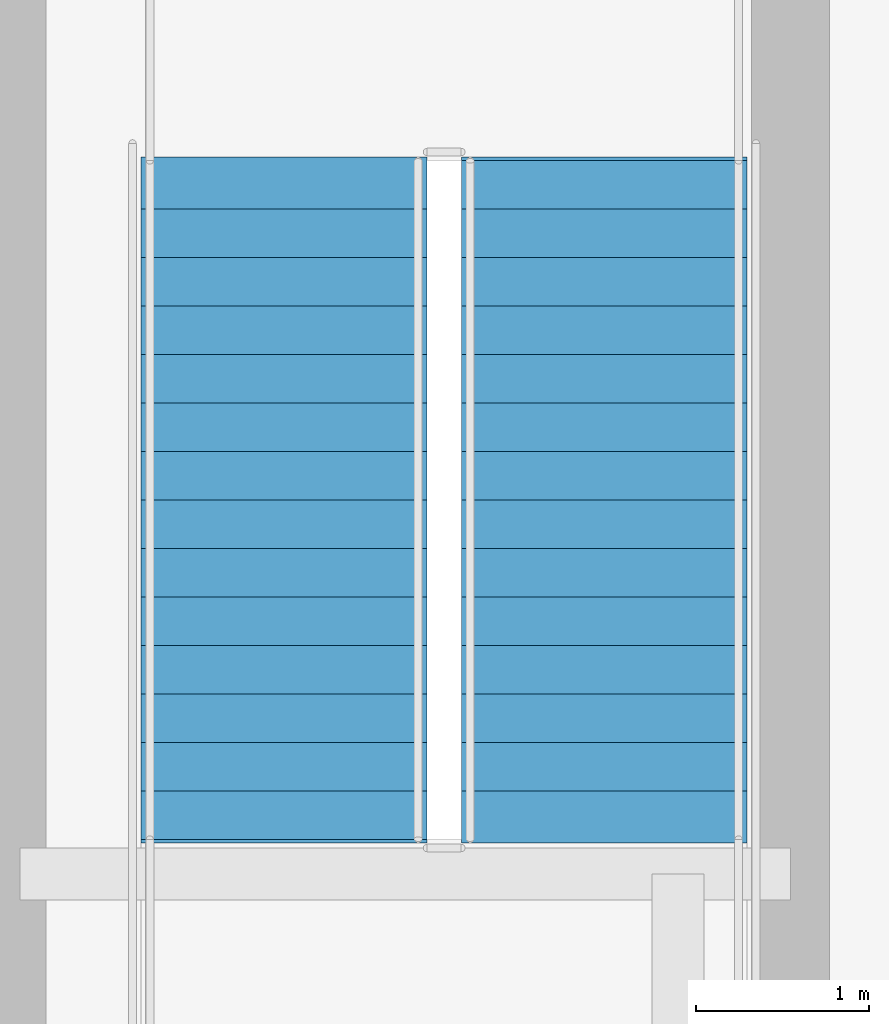
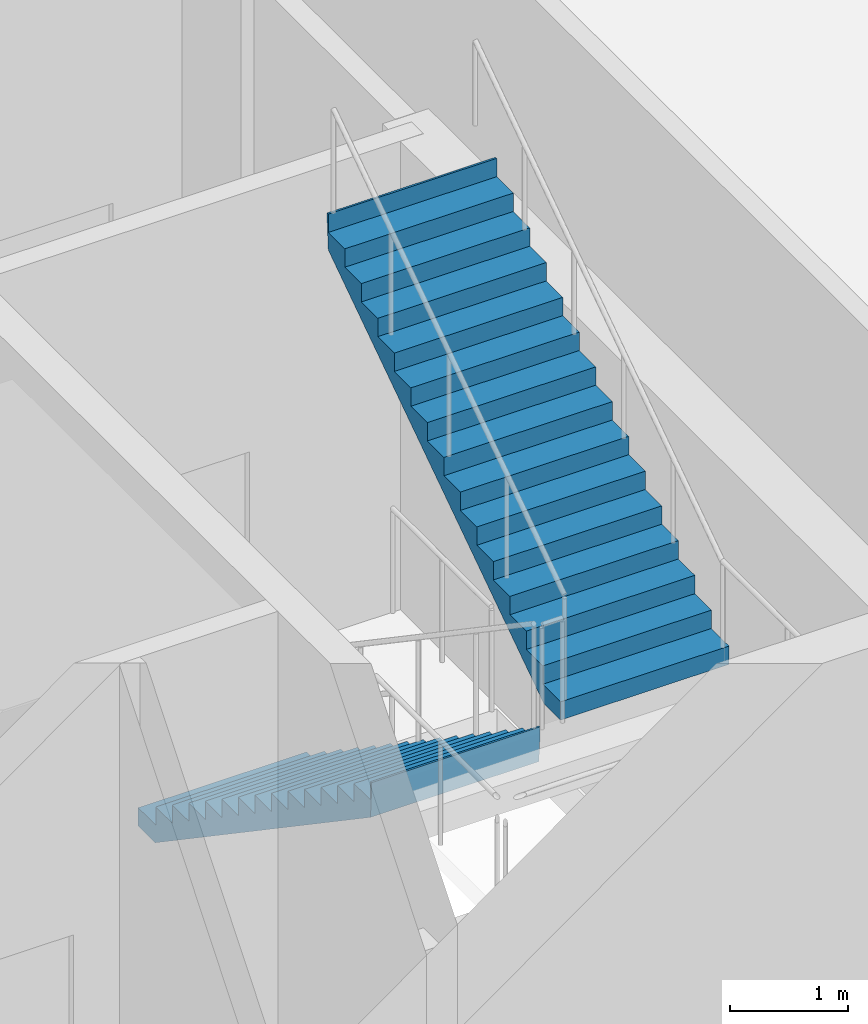
# One storey, part 6 of 12: 2 stair flights, 1 element without a shape of its own.
"""IFC4 building model written with IfcOpenShell, lengths in metres."""

from ifc_helpers import new_model, si_unit, direction, frame, origin, place, context, subcontext, project, spatial, polygons, material, type_object, element, aggregate, save


model = new_model("IFC4")

# Units and contexts
model_context = context("Model", 3, precision=1e-05, world=origin(), true_north=direction((0.0, 1.0)))
body_context = subcontext(model_context, "Body", "Model", "MODEL_VIEW")
ifc_project = project(units=[si_unit("LENGTHUNIT", "METRE"), si_unit("AREAUNIT", "SQUARE_METRE"), si_unit("VOLUMEUNIT", "CUBIC_METRE"), si_unit("PLANEANGLEUNIT", "RADIAN"), si_unit("MASSUNIT", "GRAM", prefix="KILO")], contexts=[model_context])

# Site, building, storey
site_placement = place(None, origin())
site = spatial("IfcSite", under=ifc_project, at=site_placement, CompositionType="ELEMENT")
building_placement = place(site_placement, origin())
building = spatial("IfcBuilding", under=site, at=building_placement, Name="Serunith Strait Residences", CompositionType="ELEMENT")
storey_placement = place(building_placement, frame((0.0, 0.0, 15.300048828125)))
storey = spatial("IfcBuildingStorey", under=building, at=storey_placement, Name="L03", CompositionType="ELEMENT", Elevation=15.300048828125)

# Stair, stair flights
ifc_material = material(Name="Concrete C50/60", Category="concrete")
stair_type = type_object("IfcStairType", Name="STR-CORE-2", PredefinedType="HALF_TURN_STAIR", material=ifc_material)
stair_placement = place(storey_placement, origin())
stair = element("IfcStair", 1, at=stair_placement, inside=storey, type_object=stair_type, Name="L03 Protected Escape Stair ST-2", PredefinedType="HALF_TURN_STAIR")
stair_flight_type = type_object("IfcStairFlightType", Name="FLT-CORE-2", PredefinedType="STRAIGHT", material=ifc_material)
stair_flight_1_placement = place(storey_placement, frame((38.47509765625, 23.3701171875, 0.0), z_axis=(0.0, 0.0, 1.0), x_axis=(0.0, -1.0, 0.0)))
stair_flight_1 = element("IfcStairFlight", 2, at=stair_flight_1_placement, type_object=stair_flight_type, Name="ST-2 flight 1", NumberOfRisers=15, NumberOfTreads=14, PredefinedType="STRAIGHT", RiserHeight=0.19, TreadLength=0.28, context=body_context, shape_type="Tessellation", body=[
    polygons([(-0.02001953125, -0.824951171875, 0.0), (-0.02001953125, -0.824951171875, 0.18994140625), (0.280029296875, -0.824951171875, 0.18994140625), (0.280029296875, -0.824951171875, 0.3798828125), (0.56005859375, -0.824951171875, 0.3798828125), (0.56005859375, -0.824951171875, 0.570068359375), (0.840087890625, -0.824951171875, 0.570068359375), (0.840087890625, -0.824951171875, 0.760009765625), (1.1201171875, -0.824951171875, 0.760009765625), (1.1201171875, -0.824951171875, 0.949951171875), (1.39990234375, -0.824951171875, 0.949951171875), (1.39990234375, -0.824951171875, 1.139892578125), (1.679931640625, -0.824951171875, 1.139892578125), (1.679931640625, -0.824951171875, 1.330078125), (1.9599609375, -0.824951171875, 1.330078125), (1.9599609375, -0.824951171875, 1.52001953125), (2.239990234375, -0.824951171875, 1.52001953125), (2.239990234375, -0.824951171875, 1.7099609375), (2.52001953125, -0.824951171875, 1.7099609375), (2.52001953125, -0.824951171875, 1.89990234375), (2.800048828125, -0.824951171875, 1.89990234375), (2.800048828125, -0.824951171875, 2.090087890625), (3.080078125, -0.824951171875, 2.090087890625), (3.080078125, -0.824951171875, 2.280029296875), (3.360107421875, -0.824951171875, 2.280029296875), (3.360107421875, -0.824951171875, 2.469970703125), (3.639892578125, -0.824951171875, 2.469970703125), (3.639892578125, -0.824951171875, 2.659912109375), (3.919921875, -0.824951171875, 2.659912109375), (3.919921875, -0.824951171875, 2.85009765625), (3.93994140625, -0.824951171875, 2.85009765625), (3.93994140625, -0.824951171875, 2.7900390625), (3.919921875, -0.824951171875, 2.478759765625), (0.266845703125, -0.824951171875, 0.0), (-0.02001953125, -0.41259765625, 0.0), (-0.02001953125, -0.41259765625, 0.18994140625), (0.280029296875, -0.41259765625, 0.18994140625), (0.280029296875, -0.41259765625, 0.3798828125), (0.56005859375, -0.41259765625, 0.3798828125), (0.56005859375, -0.41259765625, 0.570068359375), (0.840087890625, -0.41259765625, 0.570068359375), (0.840087890625, -0.41259765625, 0.760009765625), (1.1201171875, -0.41259765625, 0.760009765625), (1.1201171875, -0.41259765625, 0.949951171875), (1.39990234375, -0.41259765625, 0.949951171875), (1.39990234375, -0.41259765625, 1.139892578125), (1.679931640625, -0.41259765625, 1.139892578125), (1.679931640625, -0.41259765625, 1.330078125), (1.9599609375, -0.41259765625, 1.330078125), (1.9599609375, -0.41259765625, 1.52001953125), (2.239990234375, -0.41259765625, 1.52001953125), (2.239990234375, -0.41259765625, 1.7099609375), (2.52001953125, -0.41259765625, 1.7099609375), (2.52001953125, -0.41259765625, 1.89990234375), (2.800048828125, -0.41259765625, 1.89990234375), (2.800048828125, -0.41259765625, 2.090087890625), (3.080078125, -0.41259765625, 2.090087890625), (3.080078125, -0.41259765625, 2.280029296875), (3.360107421875, -0.41259765625, 2.280029296875), (3.360107421875, -0.41259765625, 2.469970703125), (3.639892578125, -0.41259765625, 2.469970703125), (3.639892578125, -0.41259765625, 2.659912109375), (3.919921875, -0.41259765625, 2.659912109375), (3.919921875, -0.41259765625, 2.85009765625), (3.93994140625, -0.41259765625, 2.85009765625), (3.93994140625, -0.41259765625, 2.7900390625), (3.919921875, -0.41259765625, 2.478759765625), (0.266845703125, -0.41259765625, 0.0), (-0.02001953125, 0.0, 0.0), (-0.02001953125, 0.0, 0.18994140625), (0.280029296875, 0.0, 0.18994140625), (0.280029296875, 0.0, 0.3798828125), (0.56005859375, 0.0, 0.3798828125), (0.56005859375, 0.0, 0.570068359375), (0.840087890625, 0.0, 0.570068359375), (0.840087890625, 0.0, 0.760009765625), (1.1201171875, 0.0, 0.760009765625), (1.1201171875, 0.0, 0.949951171875), (1.39990234375, 0.0, 0.949951171875), (1.39990234375, 0.0, 1.139892578125), (1.679931640625, 0.0, 1.139892578125), (1.679931640625, 0.0, 1.330078125), (1.9599609375, 0.0, 1.330078125), (1.9599609375, 0.0, 1.52001953125), (2.239990234375, 0.0, 1.52001953125), (2.239990234375, 0.0, 1.7099609375), (2.52001953125, 0.0, 1.7099609375), (2.52001953125, 0.0, 1.89990234375), (2.800048828125, 0.0, 1.89990234375), (2.800048828125, 0.0, 2.090087890625), (3.080078125, 0.0, 2.090087890625), (3.080078125, 0.0, 2.280029296875), (3.360107421875, 0.0, 2.280029296875), (3.360107421875, 0.0, 2.469970703125), (3.639892578125, 0.0, 2.469970703125), (3.639892578125, 0.0, 2.659912109375), (3.919921875, 0.0, 2.659912109375), (3.919921875, 0.0, 2.85009765625), (3.93994140625, 0.0, 2.85009765625), (3.93994140625, 0.0, 2.7900390625), (3.919921875, 0.0, 2.478759765625), (0.266845703125, 0.0, 0.0), (-0.02001953125, 0.41259765625, 0.0), (-0.02001953125, 0.41259765625, 0.18994140625), (0.280029296875, 0.41259765625, 0.18994140625), (0.280029296875, 0.41259765625, 0.3798828125), (0.56005859375, 0.41259765625, 0.3798828125), (0.56005859375, 0.41259765625, 0.570068359375), (0.840087890625, 0.41259765625, 0.570068359375), (0.840087890625, 0.41259765625, 0.760009765625), (1.1201171875, 0.41259765625, 0.760009765625), (1.1201171875, 0.41259765625, 0.949951171875), (1.39990234375, 0.41259765625, 0.949951171875), (1.39990234375, 0.41259765625, 1.139892578125), (1.679931640625, 0.41259765625, 1.139892578125), (1.679931640625, 0.41259765625, 1.330078125), (1.9599609375, 0.41259765625, 1.330078125), (1.9599609375, 0.41259765625, 1.52001953125), (2.239990234375, 0.41259765625, 1.52001953125), (2.239990234375, 0.41259765625, 1.7099609375), (2.52001953125, 0.41259765625, 1.7099609375), (2.52001953125, 0.41259765625, 1.89990234375), (2.800048828125, 0.41259765625, 1.89990234375), (2.800048828125, 0.41259765625, 2.090087890625), (3.080078125, 0.41259765625, 2.090087890625), (3.080078125, 0.41259765625, 2.280029296875), (3.360107421875, 0.41259765625, 2.280029296875), (3.360107421875, 0.41259765625, 2.469970703125), (3.639892578125, 0.41259765625, 2.469970703125), (3.639892578125, 0.41259765625, 2.659912109375), (3.919921875, 0.41259765625, 2.659912109375), (3.919921875, 0.41259765625, 2.85009765625), (3.93994140625, 0.41259765625, 2.85009765625), (3.93994140625, 0.41259765625, 2.7900390625), (3.919921875, 0.41259765625, 2.478759765625), (0.266845703125, 0.41259765625, 0.0), (-0.02001953125, 0.824951171875, 0.0), (-0.02001953125, 0.824951171875, 0.18994140625), (0.280029296875, 0.824951171875, 0.18994140625), (0.280029296875, 0.824951171875, 0.3798828125), (0.56005859375, 0.824951171875, 0.3798828125), (0.56005859375, 0.824951171875, 0.570068359375), (0.840087890625, 0.824951171875, 0.570068359375), (0.840087890625, 0.824951171875, 0.760009765625), (1.1201171875, 0.824951171875, 0.760009765625), (1.1201171875, 0.824951171875, 0.949951171875), (1.39990234375, 0.824951171875, 0.949951171875), (1.39990234375, 0.824951171875, 1.139892578125), (1.679931640625, 0.824951171875, 1.139892578125), (1.679931640625, 0.824951171875, 1.330078125), (1.9599609375, 0.824951171875, 1.330078125), (1.9599609375, 0.824951171875, 1.52001953125), (2.239990234375, 0.824951171875, 1.52001953125), (2.239990234375, 0.824951171875, 1.7099609375), (2.52001953125, 0.824951171875, 1.7099609375), (2.52001953125, 0.824951171875, 1.89990234375), (2.800048828125, 0.824951171875, 1.89990234375), (2.800048828125, 0.824951171875, 2.090087890625), (3.080078125, 0.824951171875, 2.090087890625), (3.080078125, 0.824951171875, 2.280029296875), (3.360107421875, 0.824951171875, 2.280029296875), (3.360107421875, 0.824951171875, 2.469970703125), (3.639892578125, 0.824951171875, 2.469970703125), (3.639892578125, 0.824951171875, 2.659912109375), (3.919921875, 0.824951171875, 2.659912109375), (3.919921875, 0.824951171875, 2.85009765625), (3.93994140625, 0.824951171875, 2.85009765625), (3.93994140625, 0.824951171875, 2.7900390625), (3.919921875, 0.824951171875, 2.478759765625), (0.266845703125, 0.824951171875, 0.0)], [[[1, 2, 36, 35]], [[2, 3, 37, 36]], [[3, 4, 38, 37]], [[4, 5, 39, 38]], [[5, 6, 40, 39]], [[6, 7, 41, 40]], [[7, 8, 42, 41]], [[8, 9, 43, 42]], [[9, 10, 44, 43]], [[10, 11, 45, 44]], [[11, 12, 46, 45]], [[12, 13, 47, 46]], [[13, 14, 48, 47]], [[14, 15, 49, 48]], [[15, 16, 50, 49]], [[16, 17, 51, 50]], [[17, 18, 52, 51]], [[18, 19, 53, 52]], [[19, 20, 54, 53]], [[20, 21, 55, 54]], [[21, 22, 56, 55]], [[22, 23, 57, 56]], [[23, 24, 58, 57]], [[24, 25, 59, 58]], [[25, 26, 60, 59]], [[26, 27, 61, 60]], [[27, 28, 62, 61]], [[28, 29, 63, 62]], [[29, 30, 64, 63]], [[30, 31, 65, 64]], [[31, 32, 66, 65]], [[32, 33, 67, 66]], [[33, 34, 68, 67]], [[34, 1, 35, 68]], [[35, 36, 70, 69]], [[36, 37, 71, 70]], [[37, 38, 72, 71]], [[38, 39, 73, 72]], [[39, 40, 74, 73]], [[40, 41, 75, 74]], [[41, 42, 76, 75]], [[42, 43, 77, 76]], [[43, 44, 78, 77]], [[44, 45, 79, 78]], [[45, 46, 80, 79]], [[46, 47, 81, 80]], [[47, 48, 82, 81]], [[48, 49, 83, 82]], [[49, 50, 84, 83]], [[50, 51, 85, 84]], [[51, 52, 86, 85]], [[52, 53, 87, 86]], [[53, 54, 88, 87]], [[54, 55, 89, 88]], [[55, 56, 90, 89]], [[56, 57, 91, 90]], [[57, 58, 92, 91]], [[58, 59, 93, 92]], [[59, 60, 94, 93]], [[60, 61, 95, 94]], [[61, 62, 96, 95]], [[62, 63, 97, 96]], [[63, 64, 98, 97]], [[64, 65, 99, 98]], [[65, 66, 100, 99]], [[66, 67, 101, 100]], [[67, 68, 102, 101]], [[68, 35, 69, 102]], [[69, 70, 104, 103]], [[70, 71, 105, 104]], [[71, 72, 106, 105]], [[72, 73, 107, 106]], [[73, 74, 108, 107]], [[74, 75, 109, 108]], [[75, 76, 110, 109]], [[76, 77, 111, 110]], [[77, 78, 112, 111]], [[78, 79, 113, 112]], [[79, 80, 114, 113]], [[80, 81, 115, 114]], [[81, 82, 116, 115]], [[82, 83, 117, 116]], [[83, 84, 118, 117]], [[84, 85, 119, 118]], [[85, 86, 120, 119]], [[86, 87, 121, 120]], [[87, 88, 122, 121]], [[88, 89, 123, 122]], [[89, 90, 124, 123]], [[90, 91, 125, 124]], [[91, 92, 126, 125]], [[92, 93, 127, 126]], [[93, 94, 128, 127]], [[94, 95, 129, 128]], [[95, 96, 130, 129]], [[96, 97, 131, 130]], [[97, 98, 132, 131]], [[98, 99, 133, 132]], [[99, 100, 134, 133]], [[100, 101, 135, 134]], [[101, 102, 136, 135]], [[102, 69, 103, 136]], [[103, 104, 138, 137]], [[104, 105, 139, 138]], [[105, 106, 140, 139]], [[106, 107, 141, 140]], [[107, 108, 142, 141]], [[108, 109, 143, 142]], [[109, 110, 144, 143]], [[110, 111, 145, 144]], [[111, 112, 146, 145]], [[112, 113, 147, 146]], [[113, 114, 148, 147]], [[114, 115, 149, 148]], [[115, 116, 150, 149]], [[116, 117, 151, 150]], [[117, 118, 152, 151]], [[118, 119, 153, 152]], [[119, 120, 154, 153]], [[120, 121, 155, 154]], [[121, 122, 156, 155]], [[122, 123, 157, 156]], [[123, 124, 158, 157]], [[124, 125, 159, 158]], [[125, 126, 160, 159]], [[126, 127, 161, 160]], [[127, 128, 162, 161]], [[128, 129, 163, 162]], [[129, 130, 164, 163]], [[130, 131, 165, 164]], [[131, 132, 166, 165]], [[132, 133, 167, 166]], [[133, 134, 168, 167]], [[134, 135, 169, 168]], [[135, 136, 170, 169]], [[136, 103, 137, 170]], [[34, 33, 32, 31, 30, 29, 28, 27, 26, 25, 24, 23, 22, 21, 20, 19, 18, 17, 16, 15, 14, 13, 12, 11, 10, 9, 8, 7, 6, 5, 4, 3, 2, 1]], [[137, 138, 139, 140, 141, 142, 143, 144, 145, 146, 147, 148, 149, 150, 151, 152, 153, 154, 155, 156, 157, 158, 159, 160, 161, 162, 163, 164, 165, 166, 167, 168, 169, 170]]], closed=True),
])
stair_flight_2_placement = place(storey_placement, frame((40.324951171875, 19.449951171875, 2.849853515625), z_axis=(0.0, 0.0, 1.0), x_axis=(0.0, 1.0, 0.0)))
stair_flight_2 = element("IfcStairFlight", 3, at=stair_flight_2_placement, type_object=stair_flight_type, Name="ST-2 flight 2", NumberOfRisers=15, NumberOfTreads=14, PredefinedType="STRAIGHT", RiserHeight=0.19, TreadLength=0.28, context=body_context, shape_type="Tessellation", body=[
    polygons([(-0.02001953125, -0.824951171875, 0.0), (-0.02001953125, -0.824951171875, 0.18994140625), (0.280029296875, -0.824951171875, 0.18994140625), (0.280029296875, -0.824951171875, 0.3798828125), (0.56005859375, -0.824951171875, 0.3798828125), (0.56005859375, -0.824951171875, 0.570068359375), (0.840087890625, -0.824951171875, 0.570068359375), (0.840087890625, -0.824951171875, 0.760009765625), (1.1201171875, -0.824951171875, 0.760009765625), (1.1201171875, -0.824951171875, 0.949951171875), (1.39990234375, -0.824951171875, 0.949951171875), (1.39990234375, -0.824951171875, 1.139892578125), (1.679931640625, -0.824951171875, 1.139892578125), (1.679931640625, -0.824951171875, 1.330078125), (1.9599609375, -0.824951171875, 1.330078125), (1.9599609375, -0.824951171875, 1.52001953125), (2.239990234375, -0.824951171875, 1.52001953125), (2.239990234375, -0.824951171875, 1.7099609375), (2.52001953125, -0.824951171875, 1.7099609375), (2.52001953125, -0.824951171875, 1.89990234375), (2.800048828125, -0.824951171875, 1.89990234375), (2.800048828125, -0.824951171875, 2.090087890625), (3.080078125, -0.824951171875, 2.090087890625), (3.080078125, -0.824951171875, 2.280029296875), (3.360107421875, -0.824951171875, 2.280029296875), (3.360107421875, -0.824951171875, 2.469970703125), (3.639892578125, -0.824951171875, 2.469970703125), (3.639892578125, -0.824951171875, 2.659912109375), (3.919921875, -0.824951171875, 2.659912109375), (3.919921875, -0.824951171875, 2.85009765625), (3.93994140625, -0.824951171875, 2.85009765625), (3.93994140625, -0.824951171875, 2.7900390625), (3.919921875, -0.824951171875, 2.478759765625), (0.266845703125, -0.824951171875, 0.0), (-0.02001953125, -0.41259765625, 0.0), (-0.02001953125, -0.41259765625, 0.18994140625), (0.280029296875, -0.41259765625, 0.18994140625), (0.280029296875, -0.41259765625, 0.3798828125), (0.56005859375, -0.41259765625, 0.3798828125), (0.56005859375, -0.41259765625, 0.570068359375), (0.840087890625, -0.41259765625, 0.570068359375), (0.840087890625, -0.41259765625, 0.760009765625), (1.1201171875, -0.41259765625, 0.760009765625), (1.1201171875, -0.41259765625, 0.949951171875), (1.39990234375, -0.41259765625, 0.949951171875), (1.39990234375, -0.41259765625, 1.139892578125), (1.679931640625, -0.41259765625, 1.139892578125), (1.679931640625, -0.41259765625, 1.330078125), (1.9599609375, -0.41259765625, 1.330078125), (1.9599609375, -0.41259765625, 1.52001953125), (2.239990234375, -0.41259765625, 1.52001953125), (2.239990234375, -0.41259765625, 1.7099609375), (2.52001953125, -0.41259765625, 1.7099609375), (2.52001953125, -0.41259765625, 1.89990234375), (2.800048828125, -0.41259765625, 1.89990234375), (2.800048828125, -0.41259765625, 2.090087890625), (3.080078125, -0.41259765625, 2.090087890625), (3.080078125, -0.41259765625, 2.280029296875), (3.360107421875, -0.41259765625, 2.280029296875), (3.360107421875, -0.41259765625, 2.469970703125), (3.639892578125, -0.41259765625, 2.469970703125), (3.639892578125, -0.41259765625, 2.659912109375), (3.919921875, -0.41259765625, 2.659912109375), (3.919921875, -0.41259765625, 2.85009765625), (3.93994140625, -0.41259765625, 2.85009765625), (3.93994140625, -0.41259765625, 2.7900390625), (3.919921875, -0.41259765625, 2.478759765625), (0.266845703125, -0.41259765625, 0.0), (-0.02001953125, 0.0, 0.0), (-0.02001953125, 0.0, 0.18994140625), (0.280029296875, 0.0, 0.18994140625), (0.280029296875, 0.0, 0.3798828125), (0.56005859375, 0.0, 0.3798828125), (0.56005859375, 0.0, 0.570068359375), (0.840087890625, 0.0, 0.570068359375), (0.840087890625, 0.0, 0.760009765625), (1.1201171875, 0.0, 0.760009765625), (1.1201171875, 0.0, 0.949951171875), (1.39990234375, 0.0, 0.949951171875), (1.39990234375, 0.0, 1.139892578125), (1.679931640625, 0.0, 1.139892578125), (1.679931640625, 0.0, 1.330078125), (1.9599609375, 0.0, 1.330078125), (1.9599609375, 0.0, 1.52001953125), (2.239990234375, 0.0, 1.52001953125), (2.239990234375, 0.0, 1.7099609375), (2.52001953125, 0.0, 1.7099609375), (2.52001953125, 0.0, 1.89990234375), (2.800048828125, 0.0, 1.89990234375), (2.800048828125, 0.0, 2.090087890625), (3.080078125, 0.0, 2.090087890625), (3.080078125, 0.0, 2.280029296875), (3.360107421875, 0.0, 2.280029296875), (3.360107421875, 0.0, 2.469970703125), (3.639892578125, 0.0, 2.469970703125), (3.639892578125, 0.0, 2.659912109375), (3.919921875, 0.0, 2.659912109375), (3.919921875, 0.0, 2.85009765625), (3.93994140625, 0.0, 2.85009765625), (3.93994140625, 0.0, 2.7900390625), (3.919921875, 0.0, 2.478759765625), (0.266845703125, 0.0, 0.0), (-0.02001953125, 0.41259765625, 0.0), (-0.02001953125, 0.41259765625, 0.18994140625), (0.280029296875, 0.41259765625, 0.18994140625), (0.280029296875, 0.41259765625, 0.3798828125), (0.56005859375, 0.41259765625, 0.3798828125), (0.56005859375, 0.41259765625, 0.570068359375), (0.840087890625, 0.41259765625, 0.570068359375), (0.840087890625, 0.41259765625, 0.760009765625), (1.1201171875, 0.41259765625, 0.760009765625), (1.1201171875, 0.41259765625, 0.949951171875), (1.39990234375, 0.41259765625, 0.949951171875), (1.39990234375, 0.41259765625, 1.139892578125), (1.679931640625, 0.41259765625, 1.139892578125), (1.679931640625, 0.41259765625, 1.330078125), (1.9599609375, 0.41259765625, 1.330078125), (1.9599609375, 0.41259765625, 1.52001953125), (2.239990234375, 0.41259765625, 1.52001953125), (2.239990234375, 0.41259765625, 1.7099609375), (2.52001953125, 0.41259765625, 1.7099609375), (2.52001953125, 0.41259765625, 1.89990234375), (2.800048828125, 0.41259765625, 1.89990234375), (2.800048828125, 0.41259765625, 2.090087890625), (3.080078125, 0.41259765625, 2.090087890625), (3.080078125, 0.41259765625, 2.280029296875), (3.360107421875, 0.41259765625, 2.280029296875), (3.360107421875, 0.41259765625, 2.469970703125), (3.639892578125, 0.41259765625, 2.469970703125), (3.639892578125, 0.41259765625, 2.659912109375), (3.919921875, 0.41259765625, 2.659912109375), (3.919921875, 0.41259765625, 2.85009765625), (3.93994140625, 0.41259765625, 2.85009765625), (3.93994140625, 0.41259765625, 2.7900390625), (3.919921875, 0.41259765625, 2.478759765625), (0.266845703125, 0.41259765625, 0.0), (-0.02001953125, 0.824951171875, 0.0), (-0.02001953125, 0.824951171875, 0.18994140625), (0.280029296875, 0.824951171875, 0.18994140625), (0.280029296875, 0.824951171875, 0.3798828125), (0.56005859375, 0.824951171875, 0.3798828125), (0.56005859375, 0.824951171875, 0.570068359375), (0.840087890625, 0.824951171875, 0.570068359375), (0.840087890625, 0.824951171875, 0.760009765625), (1.1201171875, 0.824951171875, 0.760009765625), (1.1201171875, 0.824951171875, 0.949951171875), (1.39990234375, 0.824951171875, 0.949951171875), (1.39990234375, 0.824951171875, 1.139892578125), (1.679931640625, 0.824951171875, 1.139892578125), (1.679931640625, 0.824951171875, 1.330078125), (1.9599609375, 0.824951171875, 1.330078125), (1.9599609375, 0.824951171875, 1.52001953125), (2.239990234375, 0.824951171875, 1.52001953125), (2.239990234375, 0.824951171875, 1.7099609375), (2.52001953125, 0.824951171875, 1.7099609375), (2.52001953125, 0.824951171875, 1.89990234375), (2.800048828125, 0.824951171875, 1.89990234375), (2.800048828125, 0.824951171875, 2.090087890625), (3.080078125, 0.824951171875, 2.090087890625), (3.080078125, 0.824951171875, 2.280029296875), (3.360107421875, 0.824951171875, 2.280029296875), (3.360107421875, 0.824951171875, 2.469970703125), (3.639892578125, 0.824951171875, 2.469970703125), (3.639892578125, 0.824951171875, 2.659912109375), (3.919921875, 0.824951171875, 2.659912109375), (3.919921875, 0.824951171875, 2.85009765625), (3.93994140625, 0.824951171875, 2.85009765625), (3.93994140625, 0.824951171875, 2.7900390625), (3.919921875, 0.824951171875, 2.478759765625), (0.266845703125, 0.824951171875, 0.0)], [[[1, 2, 36, 35]], [[2, 3, 37, 36]], [[3, 4, 38, 37]], [[4, 5, 39, 38]], [[5, 6, 40, 39]], [[6, 7, 41, 40]], [[7, 8, 42, 41]], [[8, 9, 43, 42]], [[9, 10, 44, 43]], [[10, 11, 45, 44]], [[11, 12, 46, 45]], [[12, 13, 47, 46]], [[13, 14, 48, 47]], [[14, 15, 49, 48]], [[15, 16, 50, 49]], [[16, 17, 51, 50]], [[17, 18, 52, 51]], [[18, 19, 53, 52]], [[19, 20, 54, 53]], [[20, 21, 55, 54]], [[21, 22, 56, 55]], [[22, 23, 57, 56]], [[23, 24, 58, 57]], [[24, 25, 59, 58]], [[25, 26, 60, 59]], [[26, 27, 61, 60]], [[27, 28, 62, 61]], [[28, 29, 63, 62]], [[29, 30, 64, 63]], [[30, 31, 65, 64]], [[31, 32, 66, 65]], [[32, 33, 67, 66]], [[33, 34, 68, 67]], [[34, 1, 35, 68]], [[35, 36, 70, 69]], [[36, 37, 71, 70]], [[37, 38, 72, 71]], [[38, 39, 73, 72]], [[39, 40, 74, 73]], [[40, 41, 75, 74]], [[41, 42, 76, 75]], [[42, 43, 77, 76]], [[43, 44, 78, 77]], [[44, 45, 79, 78]], [[45, 46, 80, 79]], [[46, 47, 81, 80]], [[47, 48, 82, 81]], [[48, 49, 83, 82]], [[49, 50, 84, 83]], [[50, 51, 85, 84]], [[51, 52, 86, 85]], [[52, 53, 87, 86]], [[53, 54, 88, 87]], [[54, 55, 89, 88]], [[55, 56, 90, 89]], [[56, 57, 91, 90]], [[57, 58, 92, 91]], [[58, 59, 93, 92]], [[59, 60, 94, 93]], [[60, 61, 95, 94]], [[61, 62, 96, 95]], [[62, 63, 97, 96]], [[63, 64, 98, 97]], [[64, 65, 99, 98]], [[65, 66, 100, 99]], [[66, 67, 101, 100]], [[67, 68, 102, 101]], [[68, 35, 69, 102]], [[69, 70, 104, 103]], [[70, 71, 105, 104]], [[71, 72, 106, 105]], [[72, 73, 107, 106]], [[73, 74, 108, 107]], [[74, 75, 109, 108]], [[75, 76, 110, 109]], [[76, 77, 111, 110]], [[77, 78, 112, 111]], [[78, 79, 113, 112]], [[79, 80, 114, 113]], [[80, 81, 115, 114]], [[81, 82, 116, 115]], [[82, 83, 117, 116]], [[83, 84, 118, 117]], [[84, 85, 119, 118]], [[85, 86, 120, 119]], [[86, 87, 121, 120]], [[87, 88, 122, 121]], [[88, 89, 123, 122]], [[89, 90, 124, 123]], [[90, 91, 125, 124]], [[91, 92, 126, 125]], [[92, 93, 127, 126]], [[93, 94, 128, 127]], [[94, 95, 129, 128]], [[95, 96, 130, 129]], [[96, 97, 131, 130]], [[97, 98, 132, 131]], [[98, 99, 133, 132]], [[99, 100, 134, 133]], [[100, 101, 135, 134]], [[101, 102, 136, 135]], [[102, 69, 103, 136]], [[103, 104, 138, 137]], [[104, 105, 139, 138]], [[105, 106, 140, 139]], [[106, 107, 141, 140]], [[107, 108, 142, 141]], [[108, 109, 143, 142]], [[109, 110, 144, 143]], [[110, 111, 145, 144]], [[111, 112, 146, 145]], [[112, 113, 147, 146]], [[113, 114, 148, 147]], [[114, 115, 149, 148]], [[115, 116, 150, 149]], [[116, 117, 151, 150]], [[117, 118, 152, 151]], [[118, 119, 153, 152]], [[119, 120, 154, 153]], [[120, 121, 155, 154]], [[121, 122, 156, 155]], [[122, 123, 157, 156]], [[123, 124, 158, 157]], [[124, 125, 159, 158]], [[125, 126, 160, 159]], [[126, 127, 161, 160]], [[127, 128, 162, 161]], [[128, 129, 163, 162]], [[129, 130, 164, 163]], [[130, 131, 165, 164]], [[131, 132, 166, 165]], [[132, 133, 167, 166]], [[133, 134, 168, 167]], [[134, 135, 169, 168]], [[135, 136, 170, 169]], [[136, 103, 137, 170]], [[34, 33, 32, 31, 30, 29, 28, 27, 26, 25, 24, 23, 22, 21, 20, 19, 18, 17, 16, 15, 14, 13, 12, 11, 10, 9, 8, 7, 6, 5, 4, 3, 2, 1]], [[137, 138, 139, 140, 141, 142, 143, 144, 145, 146, 147, 148, 149, 150, 151, 152, 153, 154, 155, 156, 157, 158, 159, 160, 161, 162, 163, 164, 165, 166, 167, 168, 169, 170]]], closed=True),
])
aggregate(stair, [stair_flight_1, stair_flight_2])

save(model, "model.ifc")
